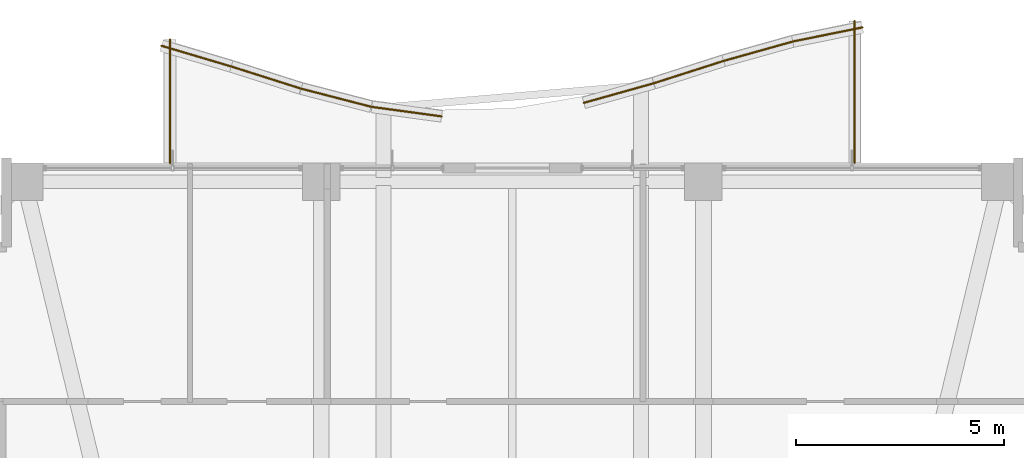
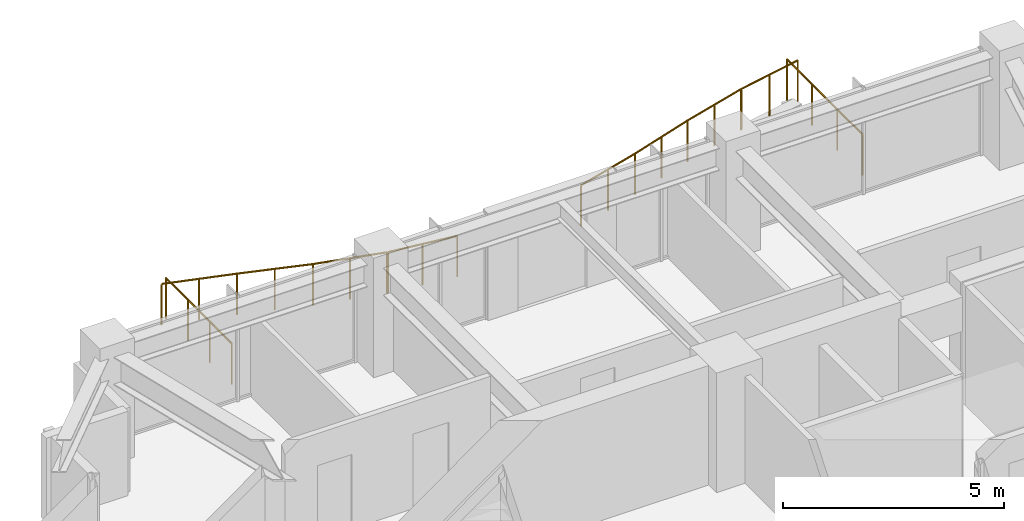
# One storey, part 31 of 31: 10 railings.
"""IFC4 building model written with IfcOpenShell, lengths in metres."""

from ifc_helpers import new_model, si_unit, direction, frame, origin, origin_2d, place, context, subcontext, project, spatial, circle, extrude, material, type_object, element, save


model = new_model("IFC4")

# Units and contexts
model_context = context("Model", 3, precision=1e-05, world=origin(), true_north=direction((0.0, 1.0)))
body_context = subcontext(model_context, "Body", "Model", "MODEL_VIEW")
ifc_project = project(units=[si_unit("LENGTHUNIT", "METRE"), si_unit("AREAUNIT", "SQUARE_METRE"), si_unit("VOLUMEUNIT", "CUBIC_METRE"), si_unit("PLANEANGLEUNIT", "RADIAN"), si_unit("MASSUNIT", "GRAM", prefix="KILO")], contexts=[model_context])

# Site, building, storey
site_placement = place(None, origin())
site = spatial("IfcSite", under=ifc_project, at=site_placement, CompositionType="ELEMENT")
building_placement = place(site_placement, origin())
building = spatial("IfcBuilding", under=site, at=building_placement, Name="Kolvaren Belvedere", CompositionType="ELEMENT")
storey_placement = place(building_placement, frame((0.0, 0.0, 144.800048828125)))
storey = spatial("IfcBuildingStorey", under=building, at=storey_placement, Name="L42", CompositionType="ELEMENT", Elevation=144.800048828125)

# Railings
ifc_material = material(Name="Anodised pale-metal aluminium & laminated glass guard", Category="aluminium")
railing_type = type_object("IfcRailingType", Name="RL-GUARD-1150", PredefinedType="GUARDRAIL", material=ifc_material)
railing_1_placement = place(storey_placement, frame((8.239990234375, 18.0, 0.39990234375)))
element("IfcRailing", 1, at=railing_1_placement, inside=storey, type_object=railing_type, Name="L42 Exterior Deck Safety Guard BAL-N-11", PredefinedType="GUARDRAIL", context=body_context, shape_type="SweptSolid", body=[
    extrude(circle(Radius=0.02392578125, at=origin_2d()), frame((0.0, 0.0, 1.1259765625), z_axis=(0.0, 1.0, 0.0), x_axis=(-1.0, 0.0, 0.0)), (0.0, 0.0, 1.0), 3.419921875),
    extrude(circle(Radius=0.02099609375, at=origin_2d()), origin(), (0.0, 0.0, 1.0), 1.101806640625),
    extrude(circle(Radius=0.02099609375, at=origin_2d()), frame((0.0, 1.139892578125, 0.0)), (0.0, 0.0, 1.0), 1.101806640625),
    extrude(circle(Radius=0.02099609375, at=origin_2d()), frame((0.0, 2.280029296875, 0.0)), (0.0, 0.0, 1.0), 1.101806640625),
    extrude(circle(Radius=0.02099609375, at=origin_2d()), frame((0.0, 3.419921875, 0.0)), (0.0, 0.0, 1.0), 1.101806640625),
])
railing_2_placement = place(storey_placement, frame((8.431884765625, 21.26318359375, 0.39990234375)))
element("IfcRailing", 2, at=railing_2_placement, inside=storey, type_object=railing_type, Name="L42 Exterior Deck Safety Guard BAL-N-12", PredefinedType="GUARDRAIL", context=body_context, shape_type="SweptSolid", body=[
    extrude(circle(Radius=0.02392578125, at=origin_2d()), frame((0.0, 0.0, 1.1259765625), z_axis=(-0.980067977123, -0.198662427795, 0.0), x_axis=(0.198662427795, -0.980067977123, 0.0)), (0.0, 0.0, 1.0), 1.71435546875),
    extrude(circle(Radius=0.02099609375, at=origin_2d()), origin(), (0.0, 0.0, 1.0), 1.101806640625),
    extrude(circle(Radius=0.02099609375, at=origin_2d()), frame((-0.840087890625, -0.17041015625, 0.0)), (0.0, 0.0, 1.0), 1.101806640625),
    extrude(circle(Radius=0.02099609375, at=origin_2d()), frame((-1.68017578125, -0.340576171875, 0.0)), (0.0, 0.0, 1.0), 1.101806640625),
])
railing_3_placement = place(storey_placement, frame((6.76318359375, 20.92529296875, 0.39990234375)))
element("IfcRailing", 3, at=railing_3_placement, inside=storey, type_object=railing_type, Name="L42 Exterior Deck Safety Guard BAL-N-13", PredefinedType="GUARDRAIL", context=body_context, shape_type="SweptSolid", body=[
    extrude(circle(Radius=0.02392578125, at=origin_2d()), frame((0.0, 0.0, 1.1259765625), z_axis=(-0.962916043401, -0.269801210823, 0.0), x_axis=(0.269801210823, -0.962916043401, 0.0)), (0.0, 0.0, 1.0), 1.74462890625),
    extrude(circle(Radius=0.02099609375, at=origin_2d()), origin(), (0.0, 0.0, 1.0), 1.101806640625),
    extrude(circle(Radius=0.02099609375, at=origin_2d()), frame((-0.83984375, -0.2353515625, 0.0)), (0.0, 0.0, 1.0), 1.101806640625),
    extrude(circle(Radius=0.02099609375, at=origin_2d()), frame((-1.679931640625, -0.470703125, 0.0)), (0.0, 0.0, 1.0), 1.101806640625),
])
railing_4_placement = place(storey_placement, frame((5.088623046875, 20.456298828125, 0.39990234375)))
element("IfcRailing", 4, at=railing_4_placement, inside=storey, type_object=railing_type, Name="L42 Exterior Deck Safety Guard BAL-N-14", PredefinedType="GUARDRAIL", context=body_context, shape_type="SweptSolid", body=[
    extrude(circle(Radius=0.02392578125, at=origin_2d()), frame((0.0, 0.0, 1.1259765625), z_axis=(-0.952461105499, -0.304660208284, 0.0), x_axis=(0.304660208284, -0.952461105499, 0.0)), (0.0, 0.0, 1.0), 1.763671875),
    extrude(circle(Radius=0.02099609375, at=origin_2d()), origin(), (0.0, 0.0, 1.0), 1.101806640625),
    extrude(circle(Radius=0.02099609375, at=origin_2d()), frame((-0.83984375, -0.2685546875, 0.0)), (0.0, 0.0, 1.0), 1.101806640625),
    extrude(circle(Radius=0.02099609375, at=origin_2d()), frame((-1.679931640625, -0.537353515625, 0.0)), (0.0, 0.0, 1.0), 1.101806640625),
])
railing_5_placement = place(storey_placement, frame((3.4033203125, 19.917236328125, 0.39990234375)))
element("IfcRailing", 5, at=railing_5_placement, inside=storey, type_object=railing_type, Name="L42 Exterior Deck Safety Guard BAL-N-15", PredefinedType="GUARDRAIL", context=body_context, shape_type="SweptSolid", body=[
    extrude(circle(Radius=0.02392578125, at=origin_2d()), frame((0.0, 0.0, 1.1259765625), z_axis=(-0.962926227834, -0.269764860108, 0.0), x_axis=(0.269764860108, -0.962926227834, 0.0)), (0.0, 0.0, 1.0), 1.744873046875),
    extrude(circle(Radius=0.02099609375, at=origin_2d()), origin(), (0.0, 0.0, 1.0), 1.101806640625),
    extrude(circle(Radius=0.02099609375, at=origin_2d()), frame((-0.840087890625, -0.2353515625, 0.0)), (0.0, 0.0, 1.0), 1.101806640625),
    extrude(circle(Radius=0.02099609375, at=origin_2d()), frame((-1.68017578125, -0.470703125, 0.0)), (0.0, 0.0, 1.0), 1.101806640625),
])
railing_6_placement = place(storey_placement, frame((-1.70166015625, 19.12060546875, 0.39990234375)))
element("IfcRailing", 6, at=railing_6_placement, inside=storey, type_object=railing_type, Name="L42 Exterior Deck Safety Guard BAL-N-18", PredefinedType="GUARDRAIL", context=body_context, shape_type="SweptSolid", body=[
    extrude(circle(Radius=0.02392578125, at=origin_2d()), frame((0.0, 0.0, 1.1259765625), z_axis=(-0.990855562068, 0.134926850989, 0.0), x_axis=(-0.134926850989, -0.990855562068, 0.0)), (0.0, 0.0, 1.0), 1.695556640625),
    extrude(circle(Radius=0.02099609375, at=origin_2d()), origin(), (0.0, 0.0, 1.0), 1.101806640625),
    extrude(circle(Radius=0.02099609375, at=origin_2d()), frame((-0.83984375, 0.1142578125, 0.0)), (0.0, 0.0, 1.0), 1.101806640625),
    extrude(circle(Radius=0.02099609375, at=origin_2d()), frame((-1.679931640625, 0.228759765625, 0.0)), (0.0, 0.0, 1.0), 1.101806640625),
])
railing_7_placement = place(storey_placement, frame((-3.400146484375, 19.352783203125, 0.39990234375)))
element("IfcRailing", 7, at=railing_7_placement, inside=storey, type_object=railing_type, Name="L42 Exterior Deck Safety Guard BAL-N-19", PredefinedType="GUARDRAIL", context=body_context, shape_type="SweptSolid", body=[
    extrude(circle(Radius=0.02392578125, at=origin_2d()), frame((0.0, 0.0, 1.1259765625), z_axis=(-0.968098088289, 0.25057152961, 0.0), x_axis=(-0.25057152961, -0.968098088289, 0.0)), (0.0, 0.0, 1.0), 1.7353515625),
    extrude(circle(Radius=0.02099609375, at=origin_2d()), origin(), (0.0, 0.0, 1.0), 1.101806640625),
    extrude(circle(Radius=0.02099609375, at=origin_2d()), frame((-0.83984375, 0.21728515625, 0.0)), (0.0, 0.0, 1.0), 1.101806640625),
    extrude(circle(Radius=0.02099609375, at=origin_2d()), frame((-1.679931640625, 0.434814453125, 0.0)), (0.0, 0.0, 1.0), 1.101806640625),
])
railing_8_placement = place(storey_placement, frame((-5.08837890625, 19.789794921875, 0.39990234375)))
element("IfcRailing", 8, at=railing_8_placement, inside=storey, type_object=railing_type, Name="L42 Exterior Deck Safety Guard BAL-N-20", PredefinedType="GUARDRAIL", context=body_context, shape_type="SweptSolid", body=[
    extrude(circle(Radius=0.02392578125, at=origin_2d()), frame((0.0, 0.0, 1.1259765625), z_axis=(-0.953142020151, 0.302523204768, 0.0), x_axis=(-0.302523204768, -0.953142020151, 0.0)), (0.0, 0.0, 1.0), 1.762451171875),
    extrude(circle(Radius=0.02099609375, at=origin_2d()), origin(), (0.0, 0.0, 1.0), 1.101806640625),
    extrude(circle(Radius=0.02099609375, at=origin_2d()), frame((-0.83984375, 0.2666015625, 0.0)), (0.0, 0.0, 1.0), 1.101806640625),
    extrude(circle(Radius=0.02099609375, at=origin_2d()), frame((-1.679931640625, 0.533203125, 0.0)), (0.0, 0.0, 1.0), 1.101806640625),
])
railing_9_placement = place(storey_placement, frame((-6.765625, 20.322021484375, 0.39990234375)))
element("IfcRailing", 9, at=railing_9_placement, inside=storey, type_object=railing_type, Name="L42 Exterior Deck Safety Guard BAL-N-21", PredefinedType="GUARDRAIL", context=body_context, shape_type="SweptSolid", body=[
    extrude(circle(Radius=0.02392578125, at=origin_2d()), frame((0.0, 0.0, 1.1259765625), z_axis=(-0.95856309129, 0.284880325779, 0.0), x_axis=(-0.284880325779, -0.95856309129, 0.0)), (0.0, 0.0, 1.0), 1.75244140625),
    extrude(circle(Radius=0.02099609375, at=origin_2d()), origin(), (0.0, 0.0, 1.0), 1.101806640625),
    extrude(circle(Radius=0.02099609375, at=origin_2d()), frame((-0.83984375, 0.24951171875, 0.0)), (0.0, 0.0, 1.0), 1.101806640625),
    extrude(circle(Radius=0.02099609375, at=origin_2d()), frame((-1.679931640625, 0.499267578125, 0.0)), (0.0, 0.0, 1.0), 1.101806640625),
])
railing_10_placement = place(storey_placement, frame((-8.239990234375, 20.974853515625, 0.39990234375)))
element("IfcRailing", 10, at=railing_10_placement, inside=storey, type_object=railing_type, Name="L42 Exterior Deck Safety Guard BAL-N-22", PredefinedType="GUARDRAIL", context=body_context, shape_type="SweptSolid", body=[
    extrude(circle(Radius=0.02392578125, at=origin_2d()), frame((0.0, 0.0, 1.1259765625), z_axis=(0.0, -1.0, 0.0), x_axis=(1.0, 0.0, 0.0)), (0.0, 0.0, 1.0), 2.974853515625),
    extrude(circle(Radius=0.02099609375, at=origin_2d()), origin(), (0.0, 0.0, 1.0), 1.101806640625),
    extrude(circle(Radius=0.02099609375, at=origin_2d()), frame((0.0, -0.99169921875, 0.0)), (0.0, 0.0, 1.0), 1.101806640625),
    extrude(circle(Radius=0.02099609375, at=origin_2d()), frame((0.0, -1.983154296875, 0.0)), (0.0, 0.0, 1.0), 1.101806640625),
    extrude(circle(Radius=0.02099609375, at=origin_2d()), frame((0.0, -2.974853515625, 0.0)), (0.0, 0.0, 1.0), 1.101806640625),
])

save(model, "model.ifc")
